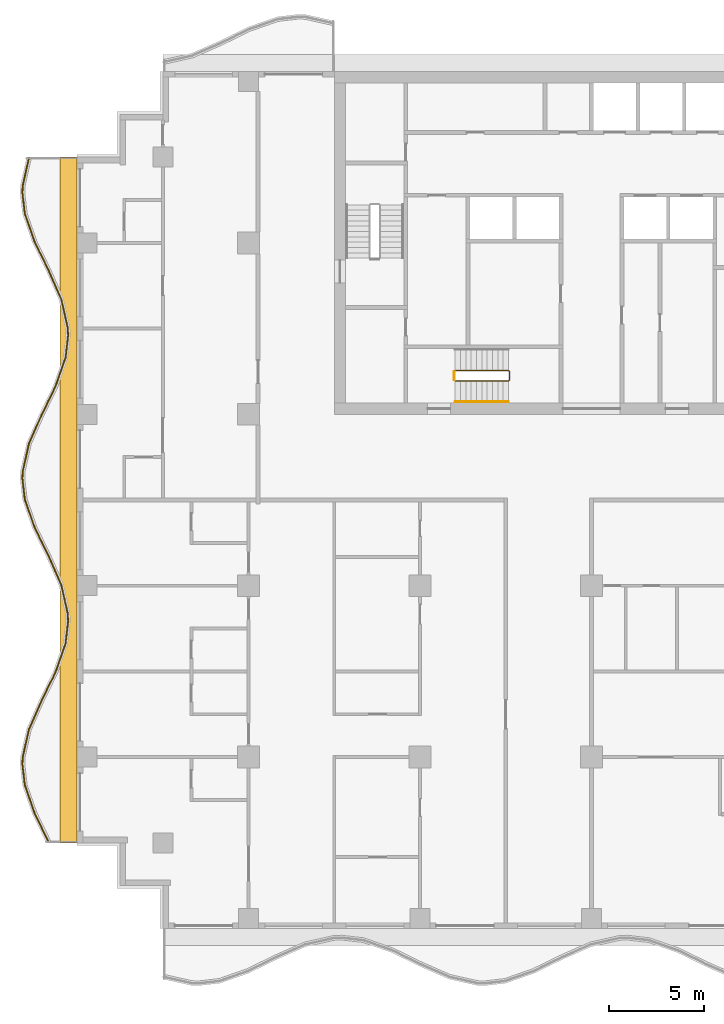
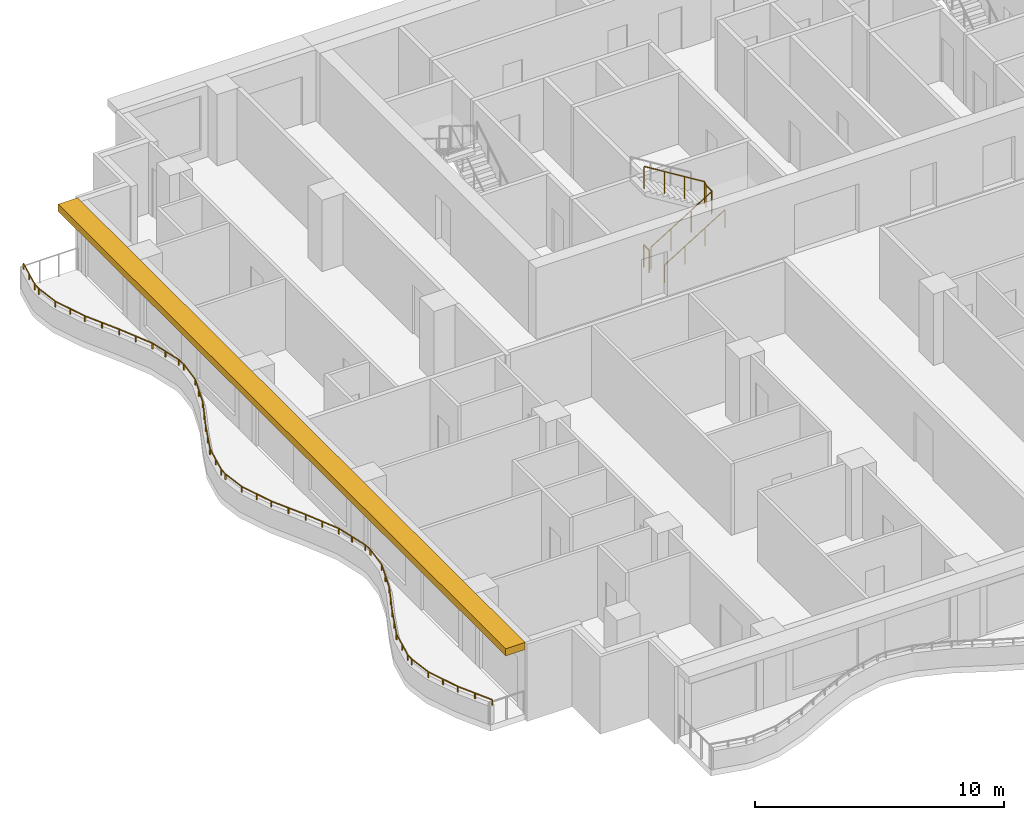
# One storey, part 9 of 11: 4 railings, 1 shading device.
"""IFC4 building model written with IfcOpenShell, lengths in metres."""

from ifc_helpers import new_model, si_unit, direction, frame, origin, origin_2d, place, context, subcontext, project, spatial, polyline, rectangle, circle, outline, extrude, material, layer, layer_set, type_object, element, save


model = new_model("IFC4")

# Units and contexts
model_context = context("Model", 3, precision=1e-05, world=origin(), true_north=direction((0.0, 1.0)))
body_context = subcontext(model_context, "Body", "Model", "MODEL_VIEW")
ifc_project = project(units=[si_unit("LENGTHUNIT", "METRE"), si_unit("AREAUNIT", "SQUARE_METRE"), si_unit("VOLUMEUNIT", "CUBIC_METRE"), si_unit("PLANEANGLEUNIT", "RADIAN"), si_unit("MASSUNIT", "GRAM", prefix="KILO")], contexts=[model_context])

# Site, building, storey
site_placement = place(None, origin())
site = spatial("IfcSite", under=ifc_project, at=site_placement, CompositionType="ELEMENT")
building_placement = place(site_placement, origin())
building = spatial("IfcBuilding", under=site, at=building_placement, Name="Orbiselva Terraces", CompositionType="ELEMENT")
storey_placement = place(building_placement, frame((0.0, 0.0, 184.4)))
storey = spatial("IfcBuildingStorey", under=building, at=storey_placement, Name="L46", CompositionType="ELEMENT", Elevation=184.4)

# Railings
ifc_material_1 = material(Name="Stainless steel", Category="steel")
railing_type_1 = type_object("IfcRailingType", Name="CORE-GUARD-1100", PredefinedType="GUARDRAIL", material=ifc_material_1)
railing_1_placement = place(storey_placement, frame((-7.15, 6.25, 0.172727)))
element("IfcRailing", 1, at=railing_1_placement, inside=storey, type_object=railing_type_1, Name="L46 S3 stair guard 1", PredefinedType="GUARDRAIL", context=body_context, shape_type="SweptSolid", body=[
    extrude(circle(Radius=0.024, at=origin_2d()), frame((0.0, 0.0, 1.081), z_axis=(0.851088519012, 0.0, 0.52502222125), x_axis=(0.0, 1.0, 0.0)), (0.0, 0.0, 1.0), 3.289905),
    extrude(circle(Radius=0.024, at=origin_2d()), frame((2.8, 0.0, 2.808273), z_axis=(0.707106781187, 0.707106781187, 0.0), x_axis=(-0.707106781187, 0.707106781187, 0.0)), (0.0, 0.0, 1.0), 0.070711),
    extrude(circle(Radius=0.024, at=origin_2d()), frame((2.85, 0.05, 2.808273), z_axis=(0.0, 1.0, 0.0), x_axis=(-1.0, 0.0, 0.0)), (0.0, 0.0, 1.0), 0.45),
    extrude(circle(Radius=0.024, at=origin_2d()), frame((2.85, 0.5, 2.808273), z_axis=(-0.267894925557, 0.267894925557, 0.925453736133), x_axis=(-0.707106781187, -0.707106781187, 0.0)), (0.0, 0.0, 1.0), 0.18664),
    extrude(circle(Radius=0.024, at=origin_2d()), frame((2.8, 0.55, 2.981), z_axis=(-0.851088519012, 0.0, 0.52502222125), x_axis=(0.0, -1.0, 0.0)), (0.0, 0.0, 1.0), 3.289905),
    extrude(circle(Radius=0.021, at=origin_2d()), origin(), (0.0, 0.0, 1.0), 1.057),
    extrude(circle(Radius=0.021, at=origin_2d()), frame((0.933333, 0.0, 0.575758)), (0.0, 0.0, 1.0), 1.057),
    extrude(circle(Radius=0.021, at=origin_2d()), frame((1.866667, 0.0, 1.151515)), (0.0, 0.0, 1.0), 1.057),
    extrude(circle(Radius=0.021, at=origin_2d()), frame((2.8, 0.0, 1.727273)), (0.0, 0.0, 1.0), 1.057),
    extrude(circle(Radius=0.021, at=origin_2d()), frame((2.85, 0.05, 1.727273)), (0.0, 0.0, 1.0), 1.057),
    extrude(circle(Radius=0.021, at=origin_2d()), frame((2.85, 0.5, 1.727273)), (0.0, 0.0, 1.0), 1.057),
    extrude(circle(Radius=0.021, at=origin_2d()), frame((2.8, 0.55, 1.9)), (0.0, 0.0, 1.0), 1.057),
    extrude(circle(Radius=0.021, at=origin_2d()), frame((1.866667, 0.55, 2.475758)), (0.0, 0.0, 1.0), 1.057),
    extrude(circle(Radius=0.021, at=origin_2d()), frame((0.933333, 0.55, 3.051515)), (0.0, 0.0, 1.0), 1.057),
    extrude(circle(Radius=0.021, at=origin_2d()), frame((0.0, 0.55, 3.627273)), (0.0, 0.0, 1.0), 1.057),
])
railing_2_placement = place(storey_placement, frame((-7.2, 6.3, 0.0)))
element("IfcRailing", 2, at=railing_2_placement, inside=storey, type_object=railing_type_1, Name="L46 S3 stair guard 2", PredefinedType="GUARDRAIL", context=body_context, shape_type="SweptSolid", body=[
    extrude(circle(Radius=0.024, at=origin_2d()), frame((0.0, 0.0, 1.081), z_axis=(0.0, 1.0, 0.0), x_axis=(-1.0, 0.0, 0.0)), (0.0, 0.0, 1.0), 0.45),
    extrude(circle(Radius=0.021, at=origin_2d()), origin(), (0.0, 0.0, 1.0), 1.057),
    extrude(circle(Radius=0.021, at=origin_2d()), frame((0.0, 0.45, 0.0)), (0.0, 0.0, 1.0), 1.057),
])
railing_type_2 = type_object("IfcRailingType", Name="CORE-HANDRAIL-900", PredefinedType="HANDRAIL", material=ifc_material_1)
railing_3_placement = place(storey_placement, frame((-7.15, 5.15, 0.172727)))
element("IfcRailing", 3, at=railing_3_placement, inside=storey, type_object=railing_type_2, Name="L46 S3 stair handrail 1", PredefinedType="HANDRAIL", context=body_context, shape_type="SweptSolid", body=[
    extrude(circle(Radius=0.024, at=origin_2d()), frame((0.0, 0.0, 0.876), z_axis=(0.851088519012, 0.0, 0.52502222125), x_axis=(0.0, 1.0, 0.0)), (0.0, 0.0, 1.0), 3.289905),
    extrude(circle(Radius=0.021, at=origin_2d()), origin(), (0.0, 0.0, 1.0), 0.852),
    extrude(circle(Radius=0.021, at=origin_2d()), frame((0.933333, 0.0, 0.575758)), (0.0, 0.0, 1.0), 0.852),
    extrude(circle(Radius=0.021, at=origin_2d()), frame((1.866667, 0.0, 1.151515)), (0.0, 0.0, 1.0), 0.852),
    extrude(circle(Radius=0.021, at=origin_2d()), frame((2.8, 0.0, 1.727273)), (0.0, 0.0, 1.0), 0.852),
])
ifc_material_2 = material(Name="Bonded two-ply safety glass balustrade, stainless steel posts", Category="steel")
railing_type_3 = type_object("IfcRailingType", Name="ENV-BALUSTRADE-1200", PredefinedType="BALUSTRADE", material=ifc_material_2)
railing_4_placement = place(storey_placement, frame((-29.526563, 17.972623, 0.9)))
element("IfcRailing", 4, at=railing_4_placement, inside=storey, type_object=railing_type_3, Name="Balcony balustrade L46 W", PredefinedType="BALUSTRADE", context=body_context, shape_type="SweptSolid", body=[
    extrude(outline(polyline([(0.028868, 0.0), (0.014434, 0.025), (-0.014434, 0.025), (-0.028868, 0.0), (-0.014434, -0.025), (0.014434, -0.025), (0.028868, 0.0)])), frame((0.0, 0.0, 0.275), z_axis=(-0.21901575501, -0.975721322437, 0.0), x_axis=(0.975721322437, -0.21901575501, 0.0)), (0.0, 0.0, 1.0), 1.525954),
    extrude(outline(polyline([(0.028868, 0.0), (0.014434, 0.025), (-0.014434, 0.025), (-0.028868, 0.0), (-0.014434, -0.025), (0.014434, -0.025), (0.028868, 0.0)])), frame((-0.334208, -1.488906, 0.275), z_axis=(-0.039364150694, -0.999224931454, 0.0), x_axis=(0.999224931454, -0.039364150694, 0.0)), (0.0, 0.0, 1.0), 0.354206),
    extrude(outline(polyline([(0.028868, 0.0), (0.014434, 0.025), (-0.014434, 0.025), (-0.028868, 0.0), (-0.014434, -0.025), (0.014434, -0.025), (0.028868, 0.0)])), frame((-0.348151, -1.842837, 0.275), z_axis=(0.115481264762, -0.993309658409, 0.0), x_axis=(0.993309658409, 0.115481264762, 0.0)), (0.0, 0.0, 1.0), 1.10902),
    extrude(outline(polyline([(0.028868, 0.0), (0.014434, 0.025), (-0.014434, 0.025), (-0.028868, 0.0), (-0.014434, -0.025), (0.014434, -0.025), (0.028868, 0.0)])), frame((-0.22008, -2.944437, 0.275), z_axis=(0.330024754707, -0.943972277814, 0.0), x_axis=(0.943972277814, 0.330024754707, 0.0)), (0.0, 0.0, 1.0), 1.567807),
    extrude(outline(polyline([(0.028868, 0.0), (0.014434, 0.025), (-0.014434, 0.025), (-0.028868, 0.0), (-0.014434, -0.025), (0.014434, -0.025), (0.028868, 0.0)])), frame((0.297335, -4.424403, 0.275), z_axis=(0.438811978768, -0.89857890432, 0.0), x_axis=(0.89857890432, 0.438811978768, 0.0)), (0.0, 0.0, 1.0), 1.66438),
    extrude(outline(polyline([(0.028868, 0.0), (0.014434, 0.025), (-0.014434, 0.025), (-0.028868, 0.0), (-0.014434, -0.025), (0.014434, -0.025), (0.028868, 0.0)])), frame((1.027685, -5.91998, 0.275), z_axis=(0.403150874148, -0.915133527237, 0.0), x_axis=(0.915133527237, 0.403150874148, 0.0)), (0.0, 0.0, 1.0), 1.653736),
    extrude(outline(polyline([(0.028868, 0.0), (0.014434, 0.025), (-0.014434, 0.025), (-0.028868, 0.0), (-0.014434, -0.025), (0.014434, -0.025), (0.028868, 0.0)])), frame((1.69439, -7.433369, 0.275), z_axis=(0.219015500924, -0.97572137947, 0.0), x_axis=(0.97572137947, 0.219015500924, 0.0)), (0.0, 0.0, 1.0), 1.560867),
    extrude(outline(polyline([(0.028868, 0.0), (0.014434, 0.025), (-0.014434, 0.025), (-0.028868, 0.0), (-0.014434, -0.025), (0.014434, -0.025), (0.028868, 0.0)])), frame((2.036244, -8.95634, 0.275), z_axis=(0.03936915532, -0.999224734286, 0.0), x_axis=(0.999224734286, 0.03936915532, 0.0)), (0.0, 0.0, 1.0), 0.396376),
    extrude(outline(polyline([(0.028868, 0.0), (0.014434, 0.025), (-0.014434, 0.025), (-0.028868, 0.0), (-0.014434, -0.025), (0.014434, -0.025), (0.028868, 0.0)])), frame((2.051849, -9.352409, 0.275), z_axis=(-0.115482182324, -0.993309551734, 0.0), x_axis=(0.993309551734, -0.115482182324, 0.0)), (0.0, 0.0, 1.0), 1.156135),
    extrude(outline(polyline([(0.028868, 0.0), (0.014434, 0.025), (-0.014434, 0.025), (-0.028868, 0.0), (-0.014434, -0.025), (0.014434, -0.025), (0.028868, 0.0)])), frame((1.918336, -10.500809, 0.275), z_axis=(-0.330024597479, -0.943972332783, 0.0), x_axis=(0.943972332783, -0.330024597479, 0.0)), (0.0, 0.0, 1.0), 1.610253),
    extrude(outline(polyline([(0.028868, 0.0), (0.014434, 0.025), (-0.014434, 0.025), (-0.028868, 0.0), (-0.014434, -0.025), (0.014434, -0.025), (0.028868, 0.0)])), frame((1.386913, -12.020843, 0.275), z_axis=(-0.438812048596, -0.898578870221, 0.0), x_axis=(0.898578870221, -0.438812048596, 0.0)), (0.0, 0.0, 1.0), 1.674225),
    extrude(outline(polyline([(0.028868, 0.0), (0.014434, 0.025), (-0.014434, 0.025), (-0.028868, 0.0), (-0.014434, -0.025), (0.014434, -0.025), (0.028868, 0.0)])), frame((0.652243, -13.525266, 0.275), z_axis=(-0.403151245402, -0.915133363686, 0.0), x_axis=(0.915133363686, -0.403151245402, 0.0)), (0.0, 0.0, 1.0), 1.624475),
    extrude(outline(polyline([(0.028868, 0.0), (0.014434, 0.025), (-0.014434, 0.025), (-0.028868, 0.0), (-0.014434, -0.025), (0.014434, -0.025), (0.028868, 0.0)])), frame((-0.002666, -15.011877, 0.275), z_axis=(-0.219015740235, -0.975721325753, 0.0), x_axis=(0.975721325753, -0.219015740235, 0.0)), (0.0, 0.0, 1.0), 1.513782),
    extrude(outline(polyline([(0.028868, 0.0), (0.014434, 0.025), (-0.014434, 0.025), (-0.028868, 0.0), (-0.014434, -0.025), (0.014434, -0.025), (0.028868, 0.0)])), frame((-0.334208, -16.488906, 0.275), z_axis=(-0.039364150694, -0.999224931454, 0.0), x_axis=(0.999224931454, -0.039364150694, 0.0)), (0.0, 0.0, 1.0), 0.354206),
    extrude(outline(polyline([(0.028868, 0.0), (0.014434, 0.025), (-0.014434, 0.025), (-0.028868, 0.0), (-0.014434, -0.025), (0.014434, -0.025), (0.028868, 0.0)])), frame((-0.348151, -16.842837, 0.275), z_axis=(0.115481264762, -0.993309658409, 0.0), x_axis=(0.993309658409, 0.115481264762, 0.0)), (0.0, 0.0, 1.0), 1.10902),
    extrude(outline(polyline([(0.028868, 0.0), (0.014434, 0.025), (-0.014434, 0.025), (-0.028868, 0.0), (-0.014434, -0.025), (0.014434, -0.025), (0.028868, 0.0)])), frame((-0.22008, -17.944437, 0.275), z_axis=(0.330024754707, -0.943972277814, 0.0), x_axis=(0.943972277814, 0.330024754707, 0.0)), (0.0, 0.0, 1.0), 1.567807),
    extrude(outline(polyline([(0.028868, 0.0), (0.014434, 0.025), (-0.014434, 0.025), (-0.028868, 0.0), (-0.014434, -0.025), (0.014434, -0.025), (0.028868, 0.0)])), frame((0.297335, -19.424403, 0.275), z_axis=(0.438811978768, -0.89857890432, 0.0), x_axis=(0.89857890432, 0.438811978768, 0.0)), (0.0, 0.0, 1.0), 1.66438),
    extrude(outline(polyline([(0.028868, 0.0), (0.014434, 0.025), (-0.014434, 0.025), (-0.028868, 0.0), (-0.014434, -0.025), (0.014434, -0.025), (0.028868, 0.0)])), frame((1.027685, -20.91998, 0.275), z_axis=(0.403150874148, -0.915133527237, 0.0), x_axis=(0.915133527237, 0.403150874148, 0.0)), (0.0, 0.0, 1.0), 1.653736),
    extrude(outline(polyline([(0.028868, 0.0), (0.014434, 0.025), (-0.014434, 0.025), (-0.028868, 0.0), (-0.014434, -0.025), (0.014434, -0.025), (0.028868, 0.0)])), frame((1.69439, -22.433369, 0.275), z_axis=(0.219015500924, -0.97572137947, 0.0), x_axis=(0.97572137947, 0.219015500924, 0.0)), (0.0, 0.0, 1.0), 1.560867),
    extrude(outline(polyline([(0.028868, 0.0), (0.014434, 0.025), (-0.014434, 0.025), (-0.028868, 0.0), (-0.014434, -0.025), (0.014434, -0.025), (0.028868, 0.0)])), frame((2.036244, -23.95634, 0.275), z_axis=(0.03936915532, -0.999224734286, 0.0), x_axis=(0.999224734286, 0.03936915532, 0.0)), (0.0, 0.0, 1.0), 0.396376),
    extrude(outline(polyline([(0.028868, 0.0), (0.014434, 0.025), (-0.014434, 0.025), (-0.028868, 0.0), (-0.014434, -0.025), (0.014434, -0.025), (0.028868, 0.0)])), frame((2.051849, -24.352409, 0.275), z_axis=(-0.115482182324, -0.993309551734, 0.0), x_axis=(0.993309551734, -0.115482182324, 0.0)), (0.0, 0.0, 1.0), 1.156135),
    extrude(outline(polyline([(0.028868, 0.0), (0.014434, 0.025), (-0.014434, 0.025), (-0.028868, 0.0), (-0.014434, -0.025), (0.014434, -0.025), (0.028868, 0.0)])), frame((1.918336, -25.500809, 0.275), z_axis=(-0.330024597479, -0.943972332783, 0.0), x_axis=(0.943972332783, -0.330024597479, 0.0)), (0.0, 0.0, 1.0), 1.610253),
    extrude(outline(polyline([(0.028868, 0.0), (0.014434, 0.025), (-0.014434, 0.025), (-0.028868, 0.0), (-0.014434, -0.025), (0.014434, -0.025), (0.028868, 0.0)])), frame((1.386913, -27.020843, 0.275), z_axis=(-0.438812048596, -0.898578870221, 0.0), x_axis=(0.898578870221, -0.438812048596, 0.0)), (0.0, 0.0, 1.0), 1.674225),
    extrude(outline(polyline([(0.028868, 0.0), (0.014434, 0.025), (-0.014434, 0.025), (-0.028868, 0.0), (-0.014434, -0.025), (0.014434, -0.025), (0.028868, 0.0)])), frame((0.652243, -28.525266, 0.275), z_axis=(-0.403151245402, -0.915133363686, 0.0), x_axis=(0.915133363686, -0.403151245402, 0.0)), (0.0, 0.0, 1.0), 1.624475),
    extrude(outline(polyline([(0.028868, 0.0), (0.014434, 0.025), (-0.014434, 0.025), (-0.028868, 0.0), (-0.014434, -0.025), (0.014434, -0.025), (0.028868, 0.0)])), frame((-0.002666, -30.011877, 0.275), z_axis=(-0.219015740235, -0.975721325753, 0.0), x_axis=(0.975721325753, -0.219015740235, 0.0)), (0.0, 0.0, 1.0), 1.513782),
    extrude(outline(polyline([(0.028868, 0.0), (0.014434, 0.025), (-0.014434, 0.025), (-0.028868, 0.0), (-0.014434, -0.025), (0.014434, -0.025), (0.028868, 0.0)])), frame((-0.334208, -31.488906, 0.275), z_axis=(-0.039364150694, -0.999224931454, 0.0), x_axis=(0.999224931454, -0.039364150694, 0.0)), (0.0, 0.0, 1.0), 0.354206),
    extrude(outline(polyline([(0.028868, 0.0), (0.014434, 0.025), (-0.014434, 0.025), (-0.028868, 0.0), (-0.014434, -0.025), (0.014434, -0.025), (0.028868, 0.0)])), frame((-0.348151, -31.842837, 0.275), z_axis=(0.115481264762, -0.993309658409, 0.0), x_axis=(0.993309658409, 0.115481264762, 0.0)), (0.0, 0.0, 1.0), 1.10902),
    extrude(outline(polyline([(0.028868, 0.0), (0.014434, 0.025), (-0.014434, 0.025), (-0.028868, 0.0), (-0.014434, -0.025), (0.014434, -0.025), (0.028868, 0.0)])), frame((-0.22008, -32.944437, 0.275), z_axis=(0.330024754707, -0.943972277814, 0.0), x_axis=(0.943972277814, 0.330024754707, 0.0)), (0.0, 0.0, 1.0), 1.567807),
    extrude(outline(polyline([(0.028868, 0.0), (0.014434, 0.025), (-0.014434, 0.025), (-0.028868, 0.0), (-0.014434, -0.025), (0.014434, -0.025), (0.028868, 0.0)])), frame((0.297335, -34.424403, 0.275), z_axis=(0.438811853882, -0.898578965307, 0.0), x_axis=(0.898578965307, 0.438811853882, 0.0)), (0.0, 0.0, 1.0), 1.661922),
    extrude(rectangle(XDim=0.05, YDim=0.05, at=origin_2d()), origin(), (0.0, 0.0, 1.0), 0.25),
    extrude(rectangle(XDim=0.05, YDim=0.05, at=origin_2d()), frame((-0.167104, -0.744453, 0.0)), (0.0, 0.0, 1.0), 0.25),
    extrude(rectangle(XDim=0.05, YDim=0.05, at=origin_2d()), frame((-0.334208, -1.488906, 0.0)), (0.0, 0.0, 1.0), 0.25),
    extrude(rectangle(XDim=0.05, YDim=0.05, at=origin_2d()), frame((-0.348151, -1.842837, 0.0)), (0.0, 0.0, 1.0), 0.25),
    extrude(rectangle(XDim=0.05, YDim=0.05, at=origin_2d()), frame((-0.22008, -2.944437, 0.0)), (0.0, 0.0, 1.0), 0.25),
    extrude(rectangle(XDim=0.05, YDim=0.05, at=origin_2d()), frame((0.038628, -3.68442, 0.0)), (0.0, 0.0, 1.0), 0.25),
    extrude(rectangle(XDim=0.05, YDim=0.05, at=origin_2d()), frame((0.297335, -4.424403, 0.0)), (0.0, 0.0, 1.0), 0.25),
    extrude(rectangle(XDim=0.05, YDim=0.05, at=origin_2d()), frame((0.66251, -5.172191, 0.0)), (0.0, 0.0, 1.0), 0.25),
    extrude(rectangle(XDim=0.05, YDim=0.05, at=origin_2d()), frame((1.027685, -5.91998, 0.0)), (0.0, 0.0, 1.0), 0.25),
    extrude(rectangle(XDim=0.05, YDim=0.05, at=origin_2d()), frame((1.361037, -6.676674, 0.0)), (0.0, 0.0, 1.0), 0.25),
    extrude(rectangle(XDim=0.05, YDim=0.05, at=origin_2d()), frame((1.69439, -7.433369, 0.0)), (0.0, 0.0, 1.0), 0.25),
    extrude(rectangle(XDim=0.05, YDim=0.05, at=origin_2d()), frame((1.865317, -8.194854, 0.0)), (0.0, 0.0, 1.0), 0.25),
    extrude(rectangle(XDim=0.05, YDim=0.05, at=origin_2d()), frame((2.036244, -8.95634, 0.0)), (0.0, 0.0, 1.0), 0.25),
    extrude(rectangle(XDim=0.05, YDim=0.05, at=origin_2d()), frame((2.051849, -9.352409, 0.0)), (0.0, 0.0, 1.0), 0.25),
    extrude(rectangle(XDim=0.05, YDim=0.05, at=origin_2d()), frame((1.918336, -10.500809, 0.0)), (0.0, 0.0, 1.0), 0.25),
    extrude(rectangle(XDim=0.05, YDim=0.05, at=origin_2d()), frame((1.652624, -11.260826, 0.0)), (0.0, 0.0, 1.0), 0.25),
    extrude(rectangle(XDim=0.05, YDim=0.05, at=origin_2d()), frame((1.386913, -12.020843, 0.0)), (0.0, 0.0, 1.0), 0.25),
    extrude(rectangle(XDim=0.05, YDim=0.05, at=origin_2d()), frame((1.019578, -12.773054, 0.0)), (0.0, 0.0, 1.0), 0.25),
    extrude(rectangle(XDim=0.05, YDim=0.05, at=origin_2d()), frame((0.652243, -13.525266, 0.0)), (0.0, 0.0, 1.0), 0.25),
    extrude(rectangle(XDim=0.05, YDim=0.05, at=origin_2d()), frame((0.324788, -14.268571, 0.0)), (0.0, 0.0, 1.0), 0.25),
    extrude(rectangle(XDim=0.05, YDim=0.05, at=origin_2d()), frame((-0.002666, -15.011877, 0.0)), (0.0, 0.0, 1.0), 0.25),
    extrude(rectangle(XDim=0.05, YDim=0.05, at=origin_2d()), frame((-0.168437, -15.750392, 0.0)), (0.0, 0.0, 1.0), 0.25),
    extrude(rectangle(XDim=0.05, YDim=0.05, at=origin_2d()), frame((-0.334208, -16.488906, 0.0)), (0.0, 0.0, 1.0), 0.25),
    extrude(rectangle(XDim=0.05, YDim=0.05, at=origin_2d()), frame((-0.348151, -16.842837, 0.0)), (0.0, 0.0, 1.0), 0.25),
    extrude(rectangle(XDim=0.05, YDim=0.05, at=origin_2d()), frame((-0.22008, -17.944437, 0.0)), (0.0, 0.0, 1.0), 0.25),
    extrude(rectangle(XDim=0.05, YDim=0.05, at=origin_2d()), frame((0.038628, -18.68442, 0.0)), (0.0, 0.0, 1.0), 0.25),
    extrude(rectangle(XDim=0.05, YDim=0.05, at=origin_2d()), frame((0.297335, -19.424403, 0.0)), (0.0, 0.0, 1.0), 0.25),
    extrude(rectangle(XDim=0.05, YDim=0.05, at=origin_2d()), frame((0.66251, -20.172191, 0.0)), (0.0, 0.0, 1.0), 0.25),
    extrude(rectangle(XDim=0.05, YDim=0.05, at=origin_2d()), frame((1.027685, -20.91998, 0.0)), (0.0, 0.0, 1.0), 0.25),
    extrude(rectangle(XDim=0.05, YDim=0.05, at=origin_2d()), frame((1.361037, -21.676674, 0.0)), (0.0, 0.0, 1.0), 0.25),
    extrude(rectangle(XDim=0.05, YDim=0.05, at=origin_2d()), frame((1.69439, -22.433369, 0.0)), (0.0, 0.0, 1.0), 0.25),
    extrude(rectangle(XDim=0.05, YDim=0.05, at=origin_2d()), frame((1.865317, -23.194854, 0.0)), (0.0, 0.0, 1.0), 0.25),
    extrude(rectangle(XDim=0.05, YDim=0.05, at=origin_2d()), frame((2.036244, -23.95634, 0.0)), (0.0, 0.0, 1.0), 0.25),
    extrude(rectangle(XDim=0.05, YDim=0.05, at=origin_2d()), frame((2.051849, -24.352409, 0.0)), (0.0, 0.0, 1.0), 0.25),
    extrude(rectangle(XDim=0.05, YDim=0.05, at=origin_2d()), frame((1.918336, -25.500809, 0.0)), (0.0, 0.0, 1.0), 0.25),
    extrude(rectangle(XDim=0.05, YDim=0.05, at=origin_2d()), frame((1.652624, -26.260826, 0.0)), (0.0, 0.0, 1.0), 0.25),
    extrude(rectangle(XDim=0.05, YDim=0.05, at=origin_2d()), frame((1.386913, -27.020843, 0.0)), (0.0, 0.0, 1.0), 0.25),
    extrude(rectangle(XDim=0.05, YDim=0.05, at=origin_2d()), frame((1.019578, -27.773054, 0.0)), (0.0, 0.0, 1.0), 0.25),
    extrude(rectangle(XDim=0.05, YDim=0.05, at=origin_2d()), frame((0.652243, -28.525266, 0.0)), (0.0, 0.0, 1.0), 0.25),
    extrude(rectangle(XDim=0.05, YDim=0.05, at=origin_2d()), frame((0.324788, -29.268572, 0.0)), (0.0, 0.0, 1.0), 0.25),
    extrude(rectangle(XDim=0.05, YDim=0.05, at=origin_2d()), frame((-0.002666, -30.011877, 0.0)), (0.0, 0.0, 1.0), 0.25),
    extrude(rectangle(XDim=0.05, YDim=0.05, at=origin_2d()), frame((-0.168437, -30.750392, 0.0)), (0.0, 0.0, 1.0), 0.25),
    extrude(rectangle(XDim=0.05, YDim=0.05, at=origin_2d()), frame((-0.334208, -31.488906, 0.0)), (0.0, 0.0, 1.0), 0.25),
    extrude(rectangle(XDim=0.05, YDim=0.05, at=origin_2d()), frame((-0.348151, -31.842837, 0.0)), (0.0, 0.0, 1.0), 0.25),
    extrude(rectangle(XDim=0.05, YDim=0.05, at=origin_2d()), frame((-0.22008, -32.944437, 0.0)), (0.0, 0.0, 1.0), 0.25),
    extrude(rectangle(XDim=0.05, YDim=0.05, at=origin_2d()), frame((0.038628, -33.68442, 0.0)), (0.0, 0.0, 1.0), 0.25),
    extrude(rectangle(XDim=0.05, YDim=0.05, at=origin_2d()), frame((0.297335, -34.424403, 0.0)), (0.0, 0.0, 1.0), 0.25),
    extrude(rectangle(XDim=0.05, YDim=0.05, at=origin_2d()), frame((0.661971, -35.171087, 0.0)), (0.0, 0.0, 1.0), 0.25),
    extrude(rectangle(XDim=0.05, YDim=0.05, at=origin_2d()), frame((1.026606, -35.917771, 0.0)), (0.0, 0.0, 1.0), 0.25),
])

# Shading device
ifc_material_3 = material(Name="Terracotta baguette sunshade", Category="masonry")
ifc_layer = layer(ifc_material_3, 0.35)
ifc_layer_set = layer_set([ifc_layer], Name="Terracotta baguette sunshade")
shading_device_type = type_object("IfcShadingDeviceType", Name="ENV-SUNSHADE-900x350", PredefinedType="USERDEFINED", material=ifc_layer_set)
shading_device_placement = place(storey_placement, frame((0.0, 0.0, 3.15)))
element("IfcShadingDevice", 5, at=shading_device_placement, inside=storey, type_object=shading_device_type, Name="Sunshade band L46 W", ObjectType="SUNSHADE", PredefinedType="USERDEFINED", context=body_context, shape_type="SweptSolid", body=[
    extrude(outline(polyline([(-27.9, 18.0), (-27.9, -18.0), (-27.0, -18.0), (-27.0, 18.0), (-27.9, 18.0)])), origin(), (0.0, 0.0, 1.0), 0.35),
])

save(model, "model.ifc")
